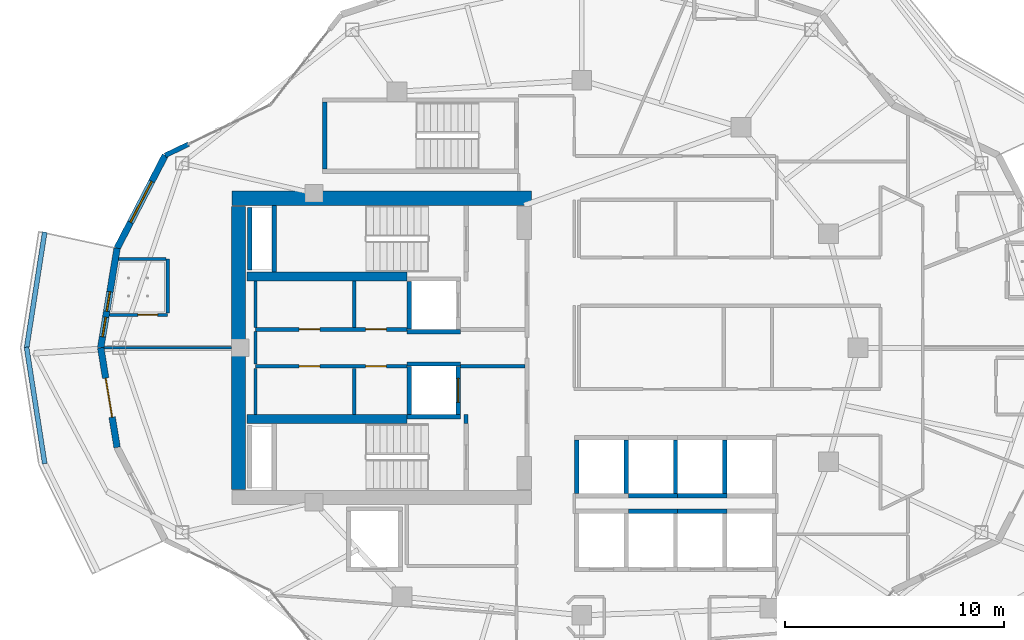
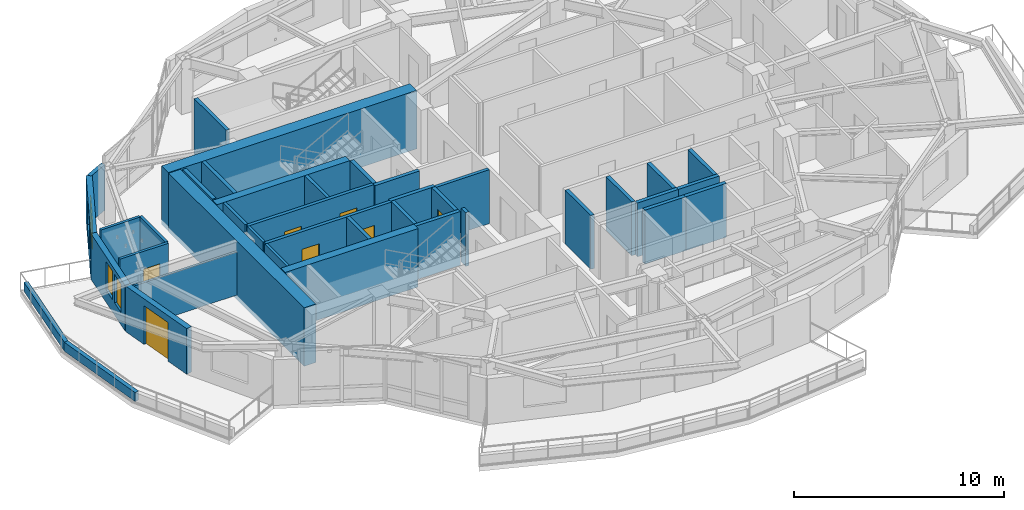
# One storey, part 9 of 19: 40 walls, 7 doors, 3 windows, 10 openings.
"""IFC4 building model written with IfcOpenShell, lengths in metres."""

from ifc_helpers import new_model, si_unit, direction, frame, frame_2d, origin, place, context, subcontext, project, spatial, rectangle, extrude, material, layer, layer_set, type_object, element, fill, save


model = new_model("IFC4")

# Units and contexts
model_context = context("Model", 3, precision=1e-05, world=origin(), true_north=direction((0.0, 1.0)))
body_context = subcontext(model_context, "Body", "Model", "MODEL_VIEW")
ifc_project = project(units=[si_unit("LENGTHUNIT", "METRE"), si_unit("AREAUNIT", "SQUARE_METRE"), si_unit("VOLUMEUNIT", "CUBIC_METRE"), si_unit("PLANEANGLEUNIT", "RADIAN"), si_unit("MASSUNIT", "GRAM", prefix="KILO")], contexts=[model_context])

# Site, building, storey
site_placement = place(None, origin())
site = spatial("IfcSite", under=ifc_project, at=site_placement, CompositionType="ELEMENT")
building_placement = place(site_placement, origin())
building = spatial("IfcBuilding", under=site, at=building_placement, Name="Kolvaren Gate Tower and Convention Centre", CompositionType="ELEMENT")
storey_placement = place(building_placement, frame((0.0, 0.0, 163.10009765625)))
storey = spatial("IfcBuildingStorey", under=building, at=storey_placement, Name="L42", CompositionType="ELEMENT", Elevation=163.10009765625)

# Wall
ifc_material_1 = material(Name="Autoclaved Aerated Masonry Blockwork Class 4 (4.0 MPa)", Category="masonry")
ifc_layer_1 = layer(ifc_material_1, 0.179931640625)
ifc_layer_set_1 = layer_set([ifc_layer_1], Name="Autoclaved Aerated Masonry Blockwork Class 4 (4.0 MPa)")
wall_type_1 = type_object("IfcWallType", Name="ARCH-WL-COMP-180", PredefinedType="SOLIDWALL", material=ifc_layer_set_1)
wall_1_placement = place(storey_placement, frame((24.85009765625, 23.5400390625, 0.0), z_axis=(0.0, 0.0, 1.0), x_axis=(0.0, 1.0, 0.0)))
element("IfcWall", 1, at=wall_1_placement, inside=storey, type_object=wall_type_1, Name="Interior Partition WL-L42-INT-001", PredefinedType="SOLIDWALL", context=body_context, shape_type="SweptSolid", body=[
    extrude(rectangle(XDim=0.419921875, YDim=0.179931640625, at=frame_2d((0.2099609375, 0.0))), origin(), (0.0, 0.0, 1.0), 3.1298828125),
])

# Wall, openings, doors
wall_2_placement = place(storey_placement, frame((15.25, 27.840087890625, 0.0), z_axis=(0.0, 0.0, 1.0), x_axis=(1.0, 0.0, 0.0)))
wall_2 = element("IfcWall", 2, at=wall_2_placement, inside=storey, type_object=wall_type_1, Name="Interior Partition WL-L42-INT-004", PredefinedType="SOLIDWALL", context=body_context, shape_type="SweptSolid", body=[
    extrude(rectangle(XDim=6.89990234375, YDim=0.179931640625, at=frame_2d((3.449951171875, 0.0))), origin(), (0.0, 0.0, 1.0), 3.1298828125),
])
opening_1_placement = place(wall_2_placement, frame((5.02001953125, 0.0, 0.0)))
opening_1 = element("IfcOpeningElement", 3, at=opening_1_placement, cuts=wall_2, Name="Opening DR-01", PredefinedType="OPENING", context=body_context, shape_type="SweptSolid", body=[
    extrude(rectangle(XDim=0.949951171875, YDim=2.10009765625, at=frame_2d((0.47509765625, 1.050048828125))), frame((0.0, 0.099853515625, 0.0), z_axis=(0.0, -1.0, 0.0), x_axis=(1.0, 0.0, 0.0)), (0.0, 0.0, 1.0), 0.199951171875),
])
opening_2_placement = place(wall_2_placement, frame((1.97998046875, 0.0, 0.0)))
opening_2 = element("IfcOpeningElement", 4, at=opening_2_placement, cuts=wall_2, Name="Opening DR-01", PredefinedType="OPENING", context=body_context, shape_type="SweptSolid", body=[
    extrude(rectangle(XDim=0.949951171875, YDim=2.10009765625, at=frame_2d((0.47509765625, 1.050048828125))), frame((0.0, 0.099853515625, 0.0), z_axis=(0.0, -1.0, 0.0), x_axis=(1.0, 0.0, 0.0)), (0.0, 0.0, 1.0), 0.199951171875),
])
ifc_material_2 = material(Name="Painted Architectural Steelwork ASTM A500 Grade C 345 MPa", Category="steel")
door_type_1 = type_object("IfcDoorType", Name="ARCH-DR-RISER-950", OperationType="SINGLE_SWING_RIGHT", PredefinedType="DOOR", material=ifc_material_2)
door_1_placement = place(opening_1_placement, origin())
door_1 = element("IfcDoor", 5, at=door_1_placement, inside=storey, type_object=door_type_1, Name="Electrical Switchgear Closet Door", OperationType="SINGLE_SWING_RIGHT", OverallHeight=2.10009765625, OverallWidth=0.949951171875, PredefinedType="DOOR", context=body_context, shape_type="SweptSolid", body=[
    extrude(rectangle(XDim=0.949951171875, YDim=2.10009765625, at=frame_2d((0.47509765625, 1.050048828125))), frame((0.0, 0.02490234375, 0.0), z_axis=(0.0, -1.0, 0.0), x_axis=(1.0, 0.0, 0.0)), (0.0, 0.0, 1.0), 0.050048828125),
])
fill(opening_1, door_1)
door_2_placement = place(opening_2_placement, origin())
door_2 = element("IfcDoor", 6, at=door_2_placement, inside=storey, type_object=door_type_1, Name="Staff Powder Washroom Door", OperationType="SINGLE_SWING_RIGHT", OverallHeight=2.10009765625, OverallWidth=0.949951171875, PredefinedType="DOOR", context=body_context, shape_type="SweptSolid", body=[
    extrude(rectangle(XDim=0.949951171875, YDim=2.10009765625, at=frame_2d((0.47509765625, 1.050048828125))), frame((0.0, 0.02490234375, 0.0), z_axis=(0.0, -1.0, 0.0), x_axis=(1.0, 0.0, 0.0)), (0.0, 0.0, 1.0), 0.050048828125),
])
fill(opening_2, door_2)

wall_3_placement = place(storey_placement, frame((15.25, 26.159912109375, 0.0), z_axis=(0.0, 0.0, 1.0), x_axis=(1.0, 0.0, 0.0)))
wall_3 = element("IfcWall", 7, at=wall_3_placement, inside=storey, type_object=wall_type_1, Name="Interior Partition WL-L42-INT-006", PredefinedType="SOLIDWALL", context=body_context, shape_type="SweptSolid", body=[
    extrude(rectangle(XDim=6.89990234375, YDim=0.179931640625, at=frame_2d((3.449951171875, 0.0))), origin(), (0.0, 0.0, 1.0), 3.1298828125),
])
opening_3_placement = place(wall_3_placement, frame((5.02001953125, 0.0, 0.0)))
opening_3 = element("IfcOpeningElement", 8, at=opening_3_placement, cuts=wall_3, Name="Opening DR-01", PredefinedType="OPENING", context=body_context, shape_type="SweptSolid", body=[
    extrude(rectangle(XDim=0.949951171875, YDim=2.10009765625, at=frame_2d((0.47509765625, 1.050048828125))), frame((0.0, 0.099853515625, 0.0), z_axis=(0.0, -1.0, 0.0), x_axis=(1.0, 0.0, 0.0)), (0.0, 0.0, 1.0), 0.199951171875),
])
opening_4_placement = place(wall_3_placement, frame((1.97998046875, 0.0, 0.0)))
opening_4 = element("IfcOpeningElement", 9, at=opening_4_placement, cuts=wall_3, Name="Opening DR-01", PredefinedType="OPENING", context=body_context, shape_type="SweptSolid", body=[
    extrude(rectangle(XDim=0.949951171875, YDim=2.10009765625, at=frame_2d((0.47509765625, 1.050048828125))), frame((0.0, 0.099853515625, 0.0), z_axis=(0.0, -1.0, 0.0), x_axis=(1.0, 0.0, 0.0)), (0.0, 0.0, 1.0), 0.199951171875),
])
door_3_placement = place(opening_3_placement, origin())
door_3 = element("IfcDoor", 10, at=door_3_placement, inside=storey, type_object=door_type_1, Name="Domestic Water Meter Closet Door", OperationType="SINGLE_SWING_LEFT", OverallHeight=2.10009765625, OverallWidth=0.949951171875, PredefinedType="DOOR", context=body_context, shape_type="SweptSolid", body=[
    extrude(rectangle(XDim=0.949951171875, YDim=2.10009765625, at=frame_2d((0.47509765625, 1.050048828125))), frame((0.0, 0.02490234375, 0.0), z_axis=(0.0, -1.0, 0.0), x_axis=(1.0, 0.0, 0.0)), (0.0, 0.0, 1.0), 0.050048828125),
])
fill(opening_3, door_3)
door_4_placement = place(opening_4_placement, origin())
door_4 = element("IfcDoor", 11, at=door_4_placement, inside=storey, type_object=door_type_1, Name="Janitor Equipment Store Door", OperationType="SINGLE_SWING_LEFT", OverallHeight=2.10009765625, OverallWidth=0.949951171875, PredefinedType="DOOR", context=body_context, shape_type="SweptSolid", body=[
    extrude(rectangle(XDim=0.949951171875, YDim=2.10009765625, at=frame_2d((0.47509765625, 1.050048828125))), frame((0.0, 0.02490234375, 0.0), z_axis=(0.0, -1.0, 0.0), x_axis=(1.0, 0.0, 0.0)), (0.0, 0.0, 1.0), 0.050048828125),
])
fill(opening_4, door_4)

# Walls
wall_4_placement = place(storey_placement, frame((24.60009765625, 26.159912109375, 0.0), z_axis=(0.0, 0.0, 1.0), x_axis=(1.0, 0.0, 0.0)))
element("IfcWall", 12, at=wall_4_placement, inside=storey, type_object=wall_type_1, Name="Interior Partition WL-L42-INT-006 (2)", PredefinedType="SOLIDWALL", context=body_context, shape_type="SweptSolid", body=[
    extrude(rectangle(XDim=2.927978515625, YDim=0.179931640625, at=frame_2d((1.4638671875, 0.0))), origin(), (0.0, 0.0, 1.0), 3.1298828125),
])
for number, where, z_axis, x_axis, name in (
    (13, (19.75, 23.9619140625, 0.0), (0.0, 0.0, 1.0), (0.0, 1.0, 0.0), "Interior Partition WL-L42-INT-008"),
    (14, (19.75, 27.931884765625, 0.0), (0.0, 0.0, 1.0), (0.0, 1.0, 0.0), "Interior Partition WL-L42-INT-009"),
):
    element("IfcWall", number, at=place(storey_placement, frame(where, z_axis=z_axis, x_axis=x_axis)), inside=storey, type_object=wall_type_1, Name=name, PredefinedType="SOLIDWALL", context=body_context, shape_type="SweptSolid", body=[
        extrude(rectangle(XDim=2.106201171875, YDim=0.179931640625, at=frame_2d((1.05322265625, 0.0))), origin(), (0.0, 0.0, 1.0), 3.1298828125),
    ])
ifc_material_3 = material(Name="Fire-Rated Acoustic Gypsum Stud Partition", Category="gypsum")
ifc_layer_2 = layer(ifc_material_3, 0.1201171875)
ifc_layer_set_2 = layer_set([ifc_layer_2], Name="Fire-Rated Acoustic Gypsum Stud Partition")
wall_type_2 = type_object("IfcWallType", Name="ARCH-WL-PART-120", PredefinedType="PARTITIONING", material=ifc_layer_set_2)
wall_5_placement = place(storey_placement, frame((8.341552734375, 27.0, 0.0), z_axis=(0.0, 0.0, 1.0), x_axis=(1.0, 0.0, 0.0)))
element("IfcWall", 15, at=wall_5_placement, inside=storey, type_object=wall_type_2, Name="Interior Partition WL-L42-INT-048", PredefinedType="PARTITIONING", context=body_context, shape_type="SweptSolid", body=[
    extrude(rectangle(XDim=5.806396484375, YDim=0.1201171875, at=frame_2d((2.9033203125, 0.0))), origin(), (0.0, 0.0, 1.0), 2.5048828125),
])
ifc_material_4 = material(Name="Bogota Sabana Bush-Hammered Sandstone Cladding", Category="masonry")
ifc_layer_3 = layer(ifc_material_4, 0.219970703125)
ifc_layer_set_3 = layer_set([ifc_layer_3], Name="Bogota Sabana Bush-Hammered Sandstone Cladding")
wall_type_3 = type_object("IfcWallType", Name="ARCH-WL-PIER-220", PredefinedType="SOLIDWALL", material=ifc_layer_set_3)
wall_6_placement = place(storey_placement, frame((11.126708984375, 35.77490234375, 0.0), z_axis=(0.0, 0.0, 1.0), x_axis=(0.901264843027, 0.433268603437, 0.0)))
element("IfcWall", 16, at=wall_6_placement, inside=storey, type_object=wall_type_3, Name="Tower L42 Unitised Curtain Wall CW-HTL-UNIT Bay 09 Left Column Pier Wrap", PredefinedType="SOLIDWALL", context=body_context, shape_type="SweptSolid", body=[
    extrude(rectangle(XDim=1.18115234375, YDim=0.219970703125, at=frame_2d((0.590576171875, 0.0))), origin(), (0.0, 0.0, 1.0), 2.65283203125),
])
ifc_material_5 = material(Name="Piedmont Cream Honed Limestone Cladding", Category="masonry")
ifc_layer_4 = layer(ifc_material_5, 0.219970703125)
ifc_layer_set_4 = layer_set([ifc_layer_4], Name="Piedmont Cream Honed Limestone Cladding")
wall_type_4 = type_object("IfcWallType", Name="ARCH-WL-PLANTER-220", PredefinedType="PARAPET", material=ifc_layer_set_4)
for number, where, z_axis, x_axis, name in (
    (17, (4.805908203125, 26.970703125, 0.0), (0.0, 0.0, 1.0), (0.154245214003, 0.988032597619, 0.0), "Vertical-Forest Balcony Stone Planter Kerb PK-L42-2.1"),
    (18, (4.805908203125, 27.029296875, 0.0), (0.0, 0.0, 1.0), (0.154245214003, -0.988032597619, 0.0), "Vertical-Forest Balcony Stone Planter Kerb PK-L42-2.2"),
):
    element("IfcWall", number, at=place(storey_placement, frame(where, z_axis=z_axis, x_axis=x_axis)), inside=storey, type_object=wall_type_4, Name=name, PredefinedType="PARAPET", context=body_context, shape_type="SweptSolid", body=[
        extrude(rectangle(XDim=5.37353515625, YDim=0.219970703125, at=frame_2d((2.686767578125, 0.0))), origin(), (0.0, 0.0, 1.0), 0.52001953125),
    ])
ifc_layer_5 = layer(ifc_material_1, 0.199951171875)
ifc_layer_set_5 = layer_set([ifc_layer_5], Name="Autoclaved Aerated Masonry Blockwork Class 4 (4.0 MPa)")
wall_type_5 = type_object("IfcWallType", Name="ARCH-WL-SHAFT-200", PredefinedType="SOLIDWALL", material=ifc_layer_set_5)
wall_7_placement = place(storey_placement, frame((22.14990234375, 27.739990234375, 0.0), z_axis=(0.0, 0.0, 1.0), x_axis=(1.0, 0.0, 0.0)))
element("IfcWall", 19, at=wall_7_placement, inside=storey, type_object=wall_type_5, Name="Elevator FF-01 L42 Fire Shaft Wall S", PredefinedType="SOLIDWALL", context=body_context, shape_type="SweptSolid", body=[
    extrude(rectangle(XDim=2.4501953125, YDim=0.199951171875, at=frame_2d((1.22509765625, 0.0))), origin(), (0.0, 0.0, 1.0), 3.1298828125),
])
wall_8_placement = place(storey_placement, frame((22.25, 27.85009765625, 0.0), z_axis=(0.0, 0.0, 1.0), x_axis=(0.0, 1.0, 0.0)))
element("IfcWall", 20, at=wall_8_placement, inside=storey, type_object=wall_type_5, Name="Elevator FF-01 L42 Fire Shaft Wall W", PredefinedType="SOLIDWALL", context=body_context, shape_type="SweptSolid", body=[
    extrude(rectangle(XDim=2.179931640625, YDim=0.199951171875, at=frame_2d((1.08984375, 0.0))), origin(), (0.0, 0.0, 1.0), 3.1298828125),
])
for number, where, z_axis, x_axis, name in (
    (21, (22.14990234375, 26.260009765625, 0.0), (0.0, 0.0, 1.0), (1.0, 0.0, 0.0), "Elevator FF-02 L42 Fire Shaft Wall N"),
    (22, (22.14990234375, 23.860107421875, 0.0), (0.0, 0.0, 1.0), (1.0, 0.0, 0.0), "Elevator FF-02 L42 Fire Shaft Wall S"),
):
    element("IfcWall", number, at=place(storey_placement, frame(where, z_axis=z_axis, x_axis=x_axis)), inside=storey, type_object=wall_type_5, Name=name, PredefinedType="SOLIDWALL", context=body_context, shape_type="SweptSolid", body=[
        extrude(rectangle(XDim=2.4501953125, YDim=0.199951171875, at=frame_2d((1.22509765625, 0.0))), origin(), (0.0, 0.0, 1.0), 3.1298828125),
    ])
wall_9_placement = place(storey_placement, frame((22.25, 23.969970703125, 0.0), z_axis=(0.0, 0.0, 1.0), x_axis=(0.0, 1.0, 0.0)))
element("IfcWall", 23, at=wall_9_placement, inside=storey, type_object=wall_type_5, Name="Elevator FF-02 L42 Fire Shaft Wall W", PredefinedType="SOLIDWALL", context=body_context, shape_type="SweptSolid", body=[
    extrude(rectangle(XDim=2.179931640625, YDim=0.199951171875, at=frame_2d((1.08984375, 0.0))), origin(), (0.0, 0.0, 1.0), 3.1298828125),
])

# Wall, opening, door
wall_10_placement = place(storey_placement, frame((24.5, 23.969970703125, 0.0), z_axis=(0.0, 0.0, 1.0), x_axis=(0.0, 1.0, 0.0)))
wall_10 = element("IfcWall", 24, at=wall_10_placement, inside=storey, type_object=wall_type_5, Name="Elevator FF-02 L42 Fire Shaft Wall E", PredefinedType="SOLIDWALL", context=body_context, shape_type="SweptSolid", body=[
    extrude(rectangle(XDim=2.179931640625, YDim=0.199951171875, at=frame_2d((1.08984375, 0.0))), origin(), (0.0, 0.0, 1.0), 3.1298828125),
])
opening_5_placement = place(wall_10_placement, frame((0.5400390625, 0.0, 0.0)))
opening_5 = element("IfcOpeningElement", 25, at=opening_5_placement, cuts=wall_10, Name="Opening LD", PredefinedType="OPENING", context=body_context, shape_type="SweptSolid", body=[
    extrude(rectangle(XDim=1.10009765625, YDim=2.199951171875, at=frame_2d((0.550048828125, 1.10009765625))), frame((0.0, 0.10986328125, 0.0), z_axis=(0.0, -1.0, 0.0), x_axis=(1.0, 0.0, 0.0)), (0.0, 0.0, 1.0), 0.219970703125),
])
ifc_material_6 = material(Name="Brushed Stainless Steel Grade 316L", Category="steel")
door_type_2 = type_object("IfcDoorType", Name="ARCH-DR-LIFT-1100", OperationType="SLIDING_TO_LEFT", PredefinedType="DOOR", material=ifc_material_6)
door_5_placement = place(opening_5_placement, origin())
door_5 = element("IfcDoor", 26, at=door_5_placement, inside=storey, type_object=door_type_2, Name="Elevator FF-02 L42 Sliding Landing Door", OperationType="SLIDING_TO_LEFT", OverallHeight=2.199951171875, OverallWidth=1.10009765625, PredefinedType="DOOR", context=body_context, shape_type="SweptSolid", body=[
    extrude(rectangle(XDim=1.10009765625, YDim=2.199951171875, at=frame_2d((0.550048828125, 1.10009765625))), frame((0.0, 0.02490234375, 0.0), z_axis=(0.0, -1.0, 0.0), x_axis=(1.0, 0.0, 0.0)), (0.0, 0.0, 1.0), 0.050048828125),
])
fill(opening_5, door_5)

# Walls
for number, where, z_axis, x_axis, name in (
    (27, (32.25, 19.550048828125, 0.0), (0.0, 0.0, 1.0), (1.0, 0.0, 0.0), "Elevator PL-06 L42 Fire Shaft Wall N"),
    (28, (34.5, 19.550048828125, 0.0), (0.0, 0.0, 1.0), (1.0, 0.0, 0.0), "Elevator PL-07 L42 Fire Shaft Wall N"),
):
    element("IfcWall", number, at=place(storey_placement, frame(where, z_axis=z_axis, x_axis=x_axis)), inside=storey, type_object=wall_type_5, Name=name, PredefinedType="SOLIDWALL", context=body_context, shape_type="SweptSolid", body=[
        extrude(rectangle(XDim=2.25, YDim=0.199951171875, at=frame_2d((1.125, 0.0))), origin(), (0.0, 0.0, 1.0), 3.1298828125),
    ])
for number, where, z_axis, x_axis, name in (
    (29, (29.89990234375, 20.360107421875, 0.0), (0.0, 0.0, 1.0), (0.0, 1.0, 0.0), "Elevator PL-09 L42 Fire Shaft Wall W"),
    (30, (32.14990234375, 20.360107421875, 0.0), (0.0, 0.0, 1.0), (0.0, 1.0, 0.0), "Elevator PL-09 L42 Fire Shaft Wall E"),
):
    element("IfcWall", number, at=place(storey_placement, frame(where, z_axis=z_axis, x_axis=x_axis)), inside=storey, type_object=wall_type_5, Name=name, PredefinedType="SOLIDWALL", context=body_context, shape_type="SweptSolid", body=[
        extrude(rectangle(XDim=2.429931640625, YDim=0.199951171875, at=frame_2d((1.21484375, 0.0))), origin(), (0.0, 0.0, 1.0), 3.1298828125),
    ])
wall_11_placement = place(storey_placement, frame((32.25, 20.25, 0.0), z_axis=(0.0, 0.0, 1.0), x_axis=(1.0, 0.0, 0.0)))
element("IfcWall", 31, at=wall_11_placement, inside=storey, type_object=wall_type_5, Name="Elevator PL-10 L42 Fire Shaft Wall S", PredefinedType="SOLIDWALL", context=body_context, shape_type="SweptSolid", body=[
    extrude(rectangle(XDim=2.25, YDim=0.199951171875, at=frame_2d((1.125, 0.0))), origin(), (0.0, 0.0, 1.0), 3.1298828125),
])
wall_12_placement = place(storey_placement, frame((34.39990234375, 20.360107421875, 0.0), z_axis=(0.0, 0.0, 1.0), x_axis=(0.0, 1.0, 0.0)))
element("IfcWall", 32, at=wall_12_placement, inside=storey, type_object=wall_type_5, Name="Elevator PL-10 L42 Fire Shaft Wall E", PredefinedType="SOLIDWALL", context=body_context, shape_type="SweptSolid", body=[
    extrude(rectangle(XDim=2.429931640625, YDim=0.199951171875, at=frame_2d((1.21484375, 0.0))), origin(), (0.0, 0.0, 1.0), 3.1298828125),
])
wall_13_placement = place(storey_placement, frame((34.5, 20.25, 0.0), z_axis=(0.0, 0.0, 1.0), x_axis=(1.0, 0.0, 0.0)))
element("IfcWall", 33, at=wall_13_placement, inside=storey, type_object=wall_type_5, Name="Elevator PL-11 L42 Fire Shaft Wall S", PredefinedType="SOLIDWALL", context=body_context, shape_type="SweptSolid", body=[
    extrude(rectangle(XDim=2.25, YDim=0.199951171875, at=frame_2d((1.125, 0.0))), origin(), (0.0, 0.0, 1.0), 3.1298828125),
])
wall_14_placement = place(storey_placement, frame((36.64990234375, 20.360107421875, 0.0), z_axis=(0.0, 0.0, 1.0), x_axis=(0.0, 1.0, 0.0)))
element("IfcWall", 34, at=wall_14_placement, inside=storey, type_object=wall_type_5, Name="Elevator PL-11 L42 Fire Shaft Wall E", PredefinedType="SOLIDWALL", context=body_context, shape_type="SweptSolid", body=[
    extrude(rectangle(XDim=2.429931640625, YDim=0.199951171875, at=frame_2d((1.21484375, 0.0))), origin(), (0.0, 0.0, 1.0), 3.1298828125),
])
wall_15_placement = place(storey_placement, frame((14.989990234375, 30.550048828125, 0.0), z_axis=(0.0, 0.0, 1.0), x_axis=(0.0, 1.0, 0.0)))
element("IfcWall", 35, at=wall_15_placement, inside=storey, type_object=wall_type_5, Name="Vertical Shaft HVR L42 EI-120 Enclosure Wall W", PredefinedType="SOLIDWALL", context=body_context, shape_type="SweptSolid", body=[
    extrude(rectangle(XDim=2.849853515625, YDim=0.199951171875, at=frame_2d((1.4248046875, 0.0))), origin(), (0.0, 0.0, 1.0), 3.1298828125),
])

# Wall, opening, window
ifc_layer_6 = layer(ifc_material_5, 0.300048828125)
ifc_layer_set_6 = layer_set([ifc_layer_6], Name="Piedmont Cream Honed Limestone Cladding")
wall_type_6 = type_object("IfcWallType", Name="ARCH-WL-STONE-300", PredefinedType="SOLIDWALL", material=ifc_layer_set_6)
wall_16_placement = place(storey_placement, frame((8.93505859375, 31.542236328125, 0.0), z_axis=(0.0, 0.0, 1.0), x_axis=(0.459810251451, 0.888017191647, 0.0)))
wall_16 = element("IfcWall", 36, at=wall_16_placement, inside=storey, type_object=wall_type_6, Name="Tower L42 Honed Stone Spandrel Wall EW-10", PredefinedType="SOLIDWALL", context=body_context, shape_type="SweptSolid", body=[
    extrude(rectangle(XDim=4.766357421875, YDim=0.300048828125, at=frame_2d((2.38330078125, 0.0))), origin(), (0.0, 0.0, 1.0), 2.65283203125),
])
opening_6_placement = place(wall_16_placement, frame((1.3330078125, 0.0, 0.739990234375)))
opening_6 = element("IfcOpeningElement", 37, at=opening_6_placement, cuts=wall_16, Name="Opening W-02", PredefinedType="OPENING", context=body_context, shape_type="SweptSolid", body=[
    extrude(rectangle(XDim=2.10009765625, YDim=1.699951171875, at=frame_2d((1.050048828125, 0.85009765625))), frame((0.0, 0.159912109375, 0.0), z_axis=(0.0, -1.0, 0.0), x_axis=(1.0, 0.0, 0.0)), (0.0, 0.0, 1.0), 0.320068359375),
])
ifc_material_7 = material(Name="Low-E Triple Insulated Glazing Unit 44 mm", Category="glass")
window_type_1 = type_object("IfcWindowType", Name="ARCH-WN-HTL-2100", PartitioningType="SINGLE_PANEL", PredefinedType="WINDOW", material=ifc_material_7)
window_1_placement = place(opening_6_placement, origin())
window_1 = element("IfcWindow", 38, at=window_1_placement, inside=storey, type_object=window_type_1, Name="Tower L42 Punched Stone Facade Window W-10", OverallHeight=1.699951171875, OverallWidth=2.10009765625, PartitioningType="SINGLE_PANEL", PredefinedType="WINDOW", context=body_context, shape_type="SweptSolid", body=[
    extrude(rectangle(XDim=2.10009765625, YDim=1.699951171875, at=frame_2d((1.050048828125, 0.85009765625))), frame((0.0, 0.030029296875, 0.0), z_axis=(0.0, -1.0, 0.0), x_axis=(1.0, 0.0, 0.0)), (0.0, 0.0, 1.0), 0.06005859375),
])
fill(opening_6, window_1)

# Wall, openings, windows
wall_17_placement = place(storey_placement, frame((8.1875, 27.0, 0.0), z_axis=(0.0, 0.0, 1.0), x_axis=(0.162394765401, 0.986725868806, 0.0)))
wall_17 = element("IfcWall", 39, at=wall_17_placement, inside=storey, type_object=wall_type_6, Name="Tower L42 Honed Stone Spandrel Wall EW-11", PredefinedType="SOLIDWALL", context=body_context, shape_type="SweptSolid", body=[
    extrude(rectangle(XDim=4.603271484375, YDim=0.300048828125, at=frame_2d((2.3017578125, 0.0))), origin(), (0.0, 0.0, 1.0), 2.65283203125),
])
opening_7_placement = place(wall_17_placement, frame((0.51513671875, 0.0, 0.719970703125)))
opening_7 = element("IfcOpeningElement", 40, at=opening_7_placement, cuts=wall_17, Name="Opening W-06", PredefinedType="OPENING", context=body_context, shape_type="SweptSolid", body=[
    extrude(rectangle(XDim=0.89990234375, YDim=1.64990234375, at=frame_2d((0.449951171875, 0.824951171875))), frame((0.0, 0.159912109375, 0.0), z_axis=(0.0, -1.0, 0.0), x_axis=(1.0, 0.0, 0.0)), (0.0, 0.0, 1.0), 0.320068359375),
])
opening_8_placement = place(wall_17_placement, frame((1.685546875, 0.0, 0.719970703125)))
opening_8 = element("IfcOpeningElement", 41, at=opening_8_placement, cuts=wall_17, Name="Opening W-06", PredefinedType="OPENING", context=body_context, shape_type="SweptSolid", body=[
    extrude(rectangle(XDim=0.89990234375, YDim=1.64990234375, at=frame_2d((0.449951171875, 0.824951171875))), frame((0.0, 0.159912109375, 0.0), z_axis=(0.0, -1.0, 0.0), x_axis=(1.0, 0.0, 0.0)), (0.0, 0.0, 1.0), 0.320068359375),
])
window_type_2 = type_object("IfcWindowType", Name="ARCH-WN-PUNCH-900", PartitioningType="SINGLE_PANEL", PredefinedType="WINDOW", material=ifc_material_7)
window_2_placement = place(opening_7_placement, origin())
window_2 = element("IfcWindow", 42, at=window_2_placement, inside=storey, type_object=window_type_2, Name="Tower L42 Punched Stone Facade Window W-11", OverallHeight=1.64990234375, OverallWidth=0.89990234375, PartitioningType="SINGLE_PANEL", PredefinedType="WINDOW", context=body_context, shape_type="SweptSolid", body=[
    extrude(rectangle(XDim=0.89990234375, YDim=1.64990234375, at=frame_2d((0.449951171875, 0.824951171875))), frame((0.0, 0.030029296875, 0.0), z_axis=(0.0, -1.0, 0.0), x_axis=(1.0, 0.0, 0.0)), (0.0, 0.0, 1.0), 0.06005859375),
])
fill(opening_7, window_2)
window_3_placement = place(opening_8_placement, origin())
window_3 = element("IfcWindow", 43, at=window_3_placement, inside=storey, type_object=window_type_2, Name="Tower L42 Punched Stone Facade Window W-11B", OverallHeight=1.64990234375, OverallWidth=0.89990234375, PartitioningType="SINGLE_PANEL", PredefinedType="WINDOW", context=body_context, shape_type="SweptSolid", body=[
    extrude(rectangle(XDim=0.89990234375, YDim=1.64990234375, at=frame_2d((0.449951171875, 0.824951171875))), frame((0.0, 0.030029296875, 0.0), z_axis=(0.0, -1.0, 0.0), x_axis=(1.0, 0.0, 0.0)), (0.0, 0.0, 1.0), 0.06005859375),
])
fill(opening_8, window_3)

# Wall, opening, door
wall_18_placement = place(storey_placement, frame((8.1875, 27.0, 0.0), z_axis=(0.0, 0.0, 1.0), x_axis=(0.162394765401, -0.986725868806, 0.0)))
wall_18 = element("IfcWall", 44, at=wall_18_placement, inside=storey, type_object=wall_type_6, Name="Tower L42 Honed Stone Spandrel Wall EW-12", PredefinedType="SOLIDWALL", context=body_context, shape_type="SweptSolid", body=[
    extrude(rectangle(XDim=4.603271484375, YDim=0.300048828125, at=frame_2d((2.3017578125, 0.0))), origin(), (0.0, 0.0, 1.0), 2.65283203125),
])
opening_9_placement = place(wall_18_placement, frame((1.402099609375, 0.0, 0.0)))
opening_9 = element("IfcOpeningElement", 45, at=opening_9_placement, cuts=wall_18, Name="Opening DB-01", PredefinedType="OPENING", context=body_context, shape_type="SweptSolid", body=[
    extrude(rectangle(XDim=1.800048828125, YDim=2.25, at=frame_2d((0.89990234375, 1.125))), frame((0.0, 0.159912109375, 0.0), z_axis=(0.0, -1.0, 0.0), x_axis=(1.0, 0.0, 0.0)), (0.0, 0.0, 1.0), 0.320068359375),
])
ifc_material_8 = material(Name="Anodized Architectural Aluminium Alloy 6063-T6", Category="aluminium")
door_type_3 = type_object("IfcDoorType", Name="ARCH-DR-BALC-1800", OperationType="SLIDING_TO_LEFT", PredefinedType="DOOR", material=ifc_material_8)
door_6_placement = place(opening_9_placement, frame((1.800048828125, 0.0, 0.0), z_axis=(0.0, 0.0, 1.0), x_axis=(-1.0, 0.0, 0.0)))
door_6 = element("IfcDoor", 46, at=door_6_placement, inside=storey, type_object=door_type_3, Name="Planted Sky Terrace Access Door DB-L42-12", OperationType="SLIDING_TO_LEFT", OverallHeight=2.25, OverallWidth=1.800048828125, PredefinedType="DOOR", context=body_context, shape_type="SweptSolid", body=[
    extrude(rectangle(XDim=1.800048828125, YDim=2.25, at=frame_2d((0.89990234375, 1.125))), frame((0.0, 0.02490234375, 0.0), z_axis=(0.0, -1.0, 0.0), x_axis=(1.0, 0.0, 0.0)), (0.0, 0.0, 1.0), 0.050048828125),
])
fill(opening_9, door_6)

# Walls
ifc_material_9 = material(Name="Moisture-Resistant Cement-Board Acoustic Partition", Category="gypsum")
ifc_layer_7 = layer(ifc_material_9, 0.14990234375)
ifc_layer_set_7 = layer_set([ifc_layer_7], Name="Moisture-Resistant Cement-Board Acoustic Partition")
wall_type_7 = type_object("IfcWallType", Name="ARCH-WL-WET-150", PredefinedType="PARTITIONING", material=ifc_layer_set_7)
wall_19_placement = place(storey_placement, frame((15.25, 23.9619140625, 0.0), z_axis=(0.0, 0.0, 1.0), x_axis=(0.0, 1.0, 0.0)))
element("IfcWall", 47, at=wall_19_placement, inside=storey, type_object=wall_type_7, Name="Interior Partition WL-L42-INT-007", PredefinedType="PARTITIONING", context=body_context, shape_type="SweptSolid", body=[
    extrude(rectangle(XDim=2.106201171875, YDim=0.14990234375, at=frame_2d((1.05322265625, 0.0))), origin(), (0.0, 0.0, 1.0), 3.1298828125),
])
wall_20_placement = place(storey_placement, frame((15.25, 26.251953125, 0.0), z_axis=(0.0, 0.0, 1.0), x_axis=(0.0, 1.0, 0.0)))
element("IfcWall", 48, at=wall_20_placement, inside=storey, type_object=wall_type_7, Name="Interior Partition WL-L42-INT-007 (2)", PredefinedType="PARTITIONING", context=body_context, shape_type="SweptSolid", body=[
    extrude(rectangle(XDim=1.49609375, YDim=0.14990234375, at=frame_2d((0.748046875, 0.0))), origin(), (0.0, 0.0, 1.0), 3.1298828125),
])
wall_21_placement = place(storey_placement, frame((15.25, 27.931884765625, 0.0), z_axis=(0.0, 0.0, 1.0), x_axis=(0.0, 1.0, 0.0)))
element("IfcWall", 49, at=wall_21_placement, inside=storey, type_object=wall_type_7, Name="Interior Partition WL-L42-INT-007 (3)", PredefinedType="PARTITIONING", context=body_context, shape_type="SweptSolid", body=[
    extrude(rectangle(XDim=2.106201171875, YDim=0.14990234375, at=frame_2d((1.05322265625, 0.0))), origin(), (0.0, 0.0, 1.0), 3.1298828125),
])

# Wall, opening, door
wall_22_placement = place(storey_placement, frame((8.58837890625, 28.5, 0.0), z_axis=(0.0, 0.0, 1.0), x_axis=(1.0, 0.0, 0.0)))
wall_22 = element("IfcWall", 50, at=wall_22_placement, inside=storey, type_object=wall_type_7, Name="Interior Partition WL-L42-INT-074", PredefinedType="PARTITIONING", context=body_context, shape_type="SweptSolid", body=[
    extrude(rectangle(XDim=2.650634765625, YDim=0.14990234375, at=frame_2d((1.3251953125, 0.0))), origin(), (0.0, 0.0, 1.0), 3.1298828125),
])
opening_10_placement = place(wall_22_placement, frame((1.29541015625, 0.0, 0.0)))
opening_10 = element("IfcOpeningElement", 51, at=opening_10_placement, cuts=wall_22, Name="Opening DW-01", PredefinedType="OPENING", context=body_context, shape_type="SweptSolid", body=[
    extrude(rectangle(XDim=0.89990234375, YDim=2.10009765625, at=frame_2d((0.449951171875, 1.050048828125))), frame((0.0, 0.0849609375, 0.0), z_axis=(0.0, -1.0, 0.0), x_axis=(1.0, 0.0, 0.0)), (0.0, 0.0, 1.0), 0.169921875),
])
ifc_material_10 = material(Name="FSC Andean Oak Engineered Veneer Door Leaf", Category="wood")
door_type_4 = type_object("IfcDoorType", Name="ARCH-DR-WC-900", OperationType="SINGLE_SWING_RIGHT", PredefinedType="DOOR", material=ifc_material_10)
door_7_placement = place(opening_10_placement, origin())
door_7 = element("IfcDoor", 52, at=door_7_placement, inside=storey, type_object=door_type_4, Name="En-suite Bathroom (HTL-L42-14) Door", OperationType="SINGLE_SWING_LEFT", OverallHeight=2.10009765625, OverallWidth=0.89990234375, PredefinedType="DOOR", context=body_context, shape_type="SweptSolid", body=[
    extrude(rectangle(XDim=0.89990234375, YDim=2.10009765625, at=frame_2d((0.449951171875, 1.050048828125))), frame((0.0, 0.02490234375, 0.0), z_axis=(0.0, -1.0, 0.0), x_axis=(1.0, 0.0, 0.0)), (0.0, 0.0, 1.0), 0.050048828125),
])
fill(opening_10, door_7)

# Walls
wall_23_placement = place(storey_placement, frame((11.239013671875, 28.576904296875, 0.0), z_axis=(0.0, 0.0, 1.0), x_axis=(0.0, 1.0, 0.0)))
element("IfcWall", 53, at=wall_23_placement, inside=storey, type_object=wall_type_7, Name="Interior Partition WL-L42-INT-075", PredefinedType="PARTITIONING", context=body_context, shape_type="SweptSolid", body=[
    extrude(rectangle(XDim=2.47314453125, YDim=0.14990234375, at=frame_2d((1.236572265625, 0.0))), origin(), (0.0, 0.0, 1.0), 3.1298828125),
])
wall_24_placement = place(storey_placement, frame((9.008056640625, 31.050048828125, 0.0), z_axis=(0.0, 0.0, 1.0), x_axis=(1.0, 0.0, 0.0)))
element("IfcWall", 54, at=wall_24_placement, inside=storey, type_object=wall_type_7, Name="Interior Partition WL-L42-INT-076", PredefinedType="PARTITIONING", context=body_context, shape_type="SweptSolid", body=[
    extrude(rectangle(XDim=2.154052734375, YDim=0.14990234375, at=frame_2d((1.0771484375, 0.0))), origin(), (0.0, 0.0, 1.0), 3.1298828125),
])
ifc_material_11 = material(Name="Concrete C50/60", Category="concrete")
ifc_layer_8 = layer(ifc_material_11, 0.419921875)
ifc_layer_set_8 = layer_set([ifc_layer_8], Name="Concrete C50/60")
wall_type_8 = type_object("IfcWallType", Name="STR-WL-CONV-420", PredefinedType="SHEAR", material=ifc_layer_set_8)
for number, where, z_axis, x_axis, name in (
    (55, (14.85009765625, 30.25, -0.27001953125), (0.0, 0.0, 1.0), (1.0, 0.0, 0.0), "Tower L42 Offset Core Shear Wall WN"),
    (56, (14.85009765625, 23.75, -0.27001953125), (0.0, 0.0, 1.0), (1.0, 0.0, 0.0), "Tower L42 Offset Core Shear Wall WS"),
):
    element("IfcWall", number, at=place(storey_placement, frame(where, z_axis=z_axis, x_axis=x_axis)), inside=storey, type_object=wall_type_8, Name=name, PredefinedType="SHEAR", context=body_context, shape_type="SweptSolid", body=[
        extrude(rectangle(XDim=7.2998046875, YDim=0.419921875, at=frame_2d((3.64990234375, 0.0))), origin(), (0.0, 0.0, 1.0), 3.39990234375),
    ])
ifc_material_12 = material(Name="Concrete C60/75", Category="concrete")
ifc_layer_9 = layer(ifc_material_12, 0.64990234375)
ifc_layer_set_9 = layer_set([ifc_layer_9], Name="Concrete C60/75")
wall_type_9 = type_object("IfcWallType", Name="STR-WL-CORE-650", PredefinedType="SHEAR", material=ifc_layer_set_9)
wall_25_placement = place(storey_placement, frame((14.175048828125, 33.824951171875, -0.27001953125), z_axis=(0.0, 0.0, 1.0), x_axis=(1.0, 0.0, 0.0)))
element("IfcWall", 57, at=wall_25_placement, inside=storey, type_object=wall_type_9, Name="Tower L42 Offset Core Shear Wall N", PredefinedType="SHEAR", context=body_context, shape_type="SweptSolid", body=[
    extrude(rectangle(XDim=13.64990234375, YDim=0.64990234375, at=frame_2d((6.824951171875, 0.0))), origin(), (0.0, 0.0, 1.0), 3.39990234375),
])
wall_26_placement = place(storey_placement, frame((14.47509765625, 20.550048828125, -0.27001953125), z_axis=(0.0, 0.0, 1.0), x_axis=(0.0, 1.0, 0.0)))
element("IfcWall", 58, at=wall_26_placement, inside=storey, type_object=wall_type_9, Name="Tower L42 Offset Core Shear Wall W", PredefinedType="SHEAR", context=body_context, shape_type="SweptSolid", body=[
    extrude(rectangle(XDim=12.89990234375, YDim=0.64990234375, at=frame_2d((6.449951171875, 0.0))), origin(), (0.0, 0.0, 1.0), 3.39990234375),
])
ifc_layer_10 = layer(ifc_material_11, 0.199951171875)
ifc_layer_set_10 = layer_set([ifc_layer_10], Name="Concrete C50/60")
wall_type_10 = type_object("IfcWallType", Name="STR-WL-SHAFT-200", PredefinedType="SHEAR", material=ifc_layer_set_10)
wall_27_placement = place(storey_placement, frame((16.10009765625, 30.4619140625, -0.27001953125), z_axis=(0.0, 0.0, 1.0), x_axis=(0.0, 1.0, 0.0)))
element("IfcWall", 59, at=wall_27_placement, inside=storey, type_object=wall_type_10, Name="Tower North Exit Stair ST-T1 L42 Structural Shear Enclosure Wall FAR", PredefinedType="SHEAR", context=body_context, shape_type="SweptSolid", body=[
    extrude(rectangle(XDim=3.0361328125, YDim=0.199951171875, at=frame_2d((1.51806640625, 0.0))), origin(), (0.0, 0.0, 1.0), 3.39990234375),
])
wall_28_placement = place(storey_placement, frame((18.39990234375, 35.159912109375, -0.27001953125), z_axis=(0.0, 0.0, 1.0), x_axis=(0.0, 1.0, 0.0)))
element("IfcWall", 60, at=wall_28_placement, inside=storey, type_object=wall_type_10, Name="Tower Mid-Zone Exit Stair ST-T3 L42 Structural Shear Enclosure Wall FAR", PredefinedType="SHEAR", context=body_context, shape_type="SweptSolid", body=[
    extrude(rectangle(XDim=3.0400390625, YDim=0.199951171875, at=frame_2d((1.52001953125, 0.0))), origin(), (0.0, 0.0, 1.0), 3.39990234375),
])

save(model, "model.ifc")
